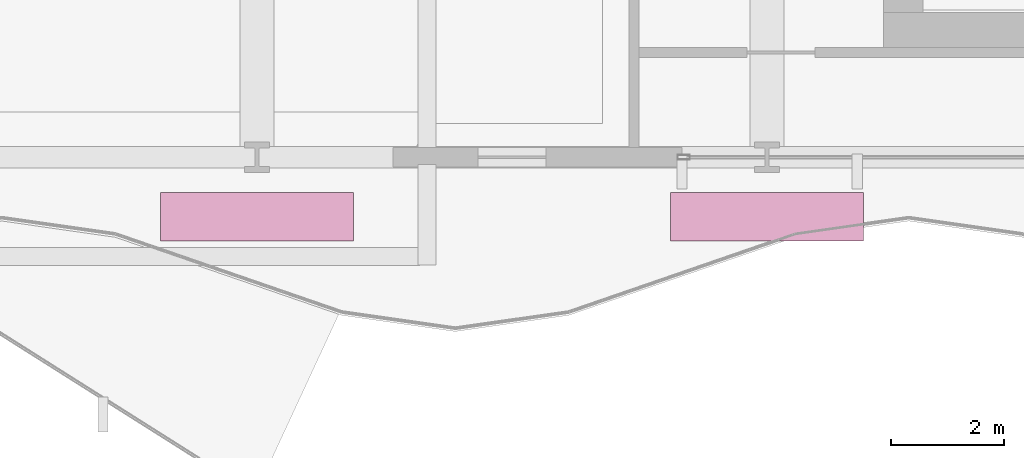
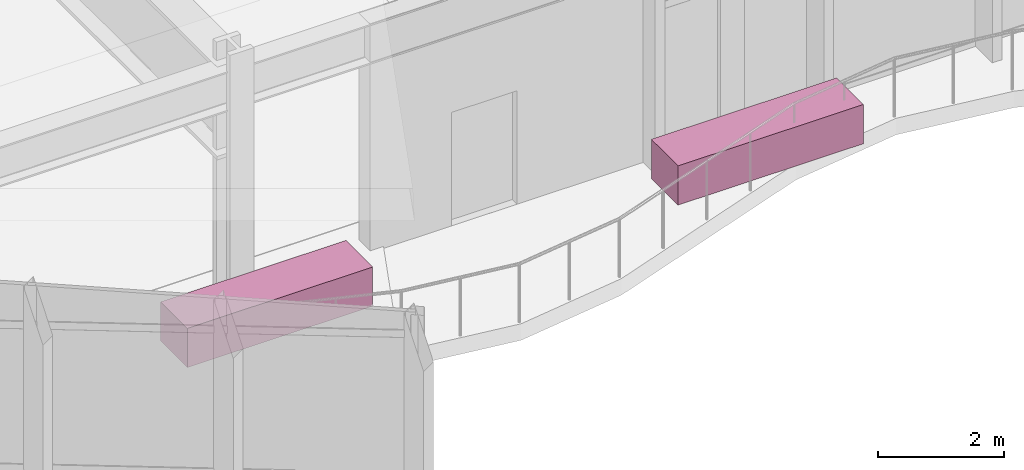
# One storey, part 31 of 31: 2 furnishings.
"""IFC4 building model written with IfcOpenShell, lengths in metres."""

from ifc_helpers import new_model, si_unit, direction, frame, origin, origin_2d, place, context, subcontext, project, spatial, rectangle, extrude, material, type_object, element, save


model = new_model("IFC4")

# Units and contexts
model_context = context("Model", 3, precision=1e-05, world=origin(), true_north=direction((0.0, 1.0)))
body_context = subcontext(model_context, "Body", "Model", "MODEL_VIEW")
ifc_project = project(units=[si_unit("LENGTHUNIT", "METRE"), si_unit("AREAUNIT", "SQUARE_METRE"), si_unit("VOLUMEUNIT", "CUBIC_METRE"), si_unit("PLANEANGLEUNIT", "RADIAN"), si_unit("MASSUNIT", "GRAM", prefix="KILO")], contexts=[model_context])

# Site, building, storey
site_placement = place(None, origin())
site = spatial("IfcSite", under=ifc_project, at=site_placement, CompositionType="ELEMENT")
building_placement = place(site_placement, origin())
building = spatial("IfcBuilding", under=site, at=building_placement, Name="Solvaryn Broadcast Tower", CompositionType="ELEMENT")
storey_placement = place(building_placement, frame((0.0, 0.0, 26.0)))
storey = spatial("IfcBuildingStorey", under=building, at=storey_placement, Name="L05", CompositionType="ELEMENT", Elevation=26.0)

# Furnishings
ifc_material = material(Name="Architectural Terracotta Planter Bed", Category="masonry")
furnishing_element_type = type_object("IfcFurnishingElementType", Name="PLB-01 Garden Planter Bed", material=ifc_material)
for number, where, z_axis, x_axis, name in (
    (1, (18.0, 7.949951171875, 0.0), (0.0, 0.0, 1.0), (1.0, 0.0, 0.0), "L05 Planted Terrace Planter PLANTER-TS-POD-L05-S-1"),
    (2, (27.0, 7.949951171875, 0.0), (0.0, 0.0, 1.0), (1.0, 0.0, 0.0), "L05 Planted Terrace Planter PLANTER-TS-POD-L05-S-2"),
):
    element("IfcFurnishingElement", number, at=place(storey_placement, frame(where, z_axis=z_axis, x_axis=x_axis)), inside=storey, type_object=furnishing_element_type, Name=name, ObjectType="PLANTER", context=body_context, shape_type="SweptSolid", body=[
        extrude(rectangle(XDim=3.39990234375, YDim=0.85009765625, at=origin_2d()), origin(), (0.0, 0.0, 1.0), 0.760009765625),
    ])

save(model, "model.ifc")
